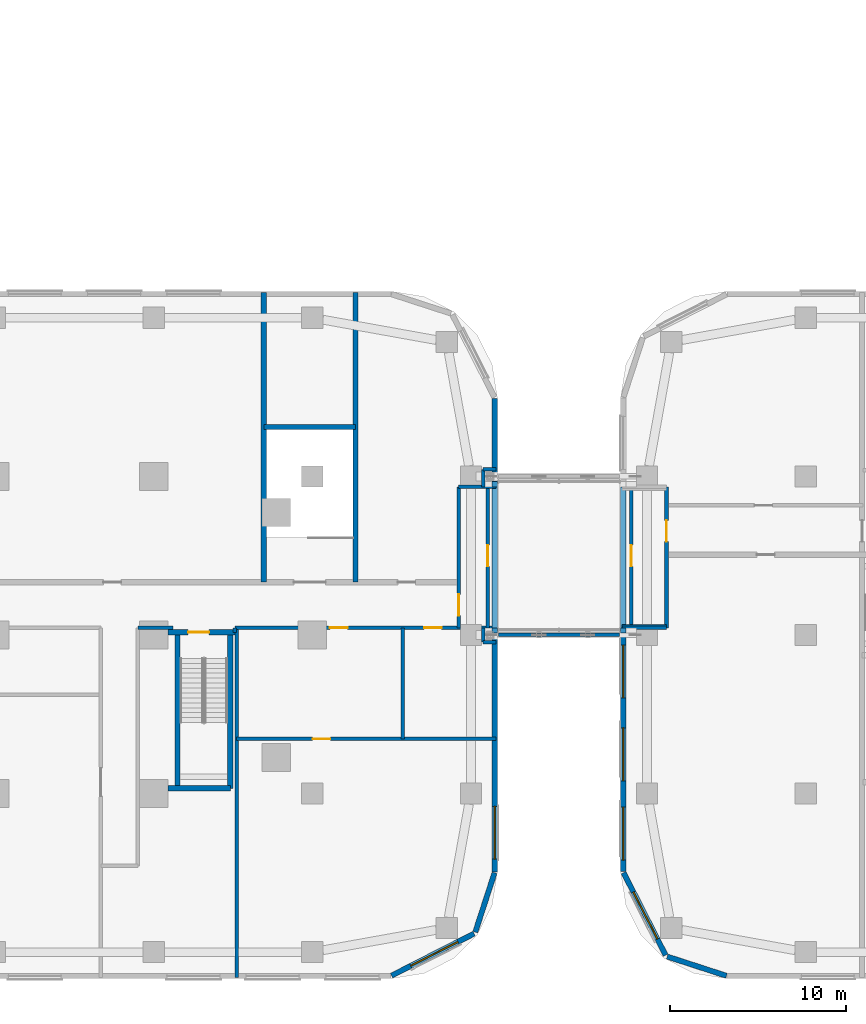
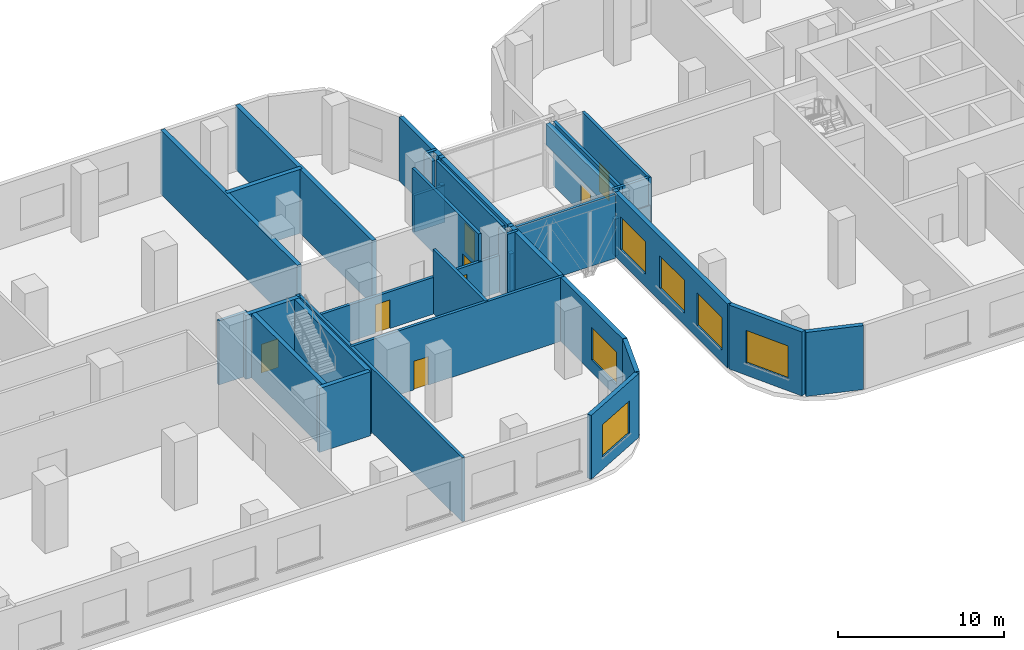
# One storey, part 11 of 33: 40 walls, 8 doors, 6 windows, 14 openings.
"""IFC4 building model written with IfcOpenShell, lengths in metres."""

from ifc_helpers import new_model, si_unit, direction, frame, frame_2d, origin, place, context, subcontext, project, spatial, rectangle, extrude, material, layer, layer_set, type_object, element, fill, save


model = new_model("IFC4")

# Units and contexts
model_context = context("Model", 3, precision=1e-05, world=origin(), true_north=direction((0.0, 1.0)))
body_context = subcontext(model_context, "Body", "Model", "MODEL_VIEW")
ifc_project = project(units=[si_unit("LENGTHUNIT", "METRE"), si_unit("AREAUNIT", "SQUARE_METRE"), si_unit("VOLUMEUNIT", "CUBIC_METRE"), si_unit("PLANEANGLEUNIT", "RADIAN"), si_unit("MASSUNIT", "GRAM", prefix="KILO")], contexts=[model_context])

# Site, building, storey
site_placement = place(None, origin())
site = spatial("IfcSite", under=ifc_project, at=site_placement, CompositionType="ELEMENT")
building_placement = place(site_placement, origin())
building = spatial("IfcBuilding", under=site, at=building_placement, Name="Ogive Portal Towers", CompositionType="ELEMENT")
storey_placement = place(building_placement, frame((0.0, 0.0, 28.5)))
storey = spatial("IfcBuildingStorey", under=building, at=storey_placement, Name="L05", CompositionType="ELEMENT", Elevation=28.5)

# Wall, opening, window
ifc_material_1 = material(Name="Limestone cladding on lightweight block wall", Category="masonry")
ifc_layer_1 = layer(ifc_material_1, 0.300048828125)
ifc_layer_set_1 = layer_set([ifc_layer_1], Name="EXTERNAL WALL 300 STONE")
wall_type_1 = type_object("IfcWallType", Name="EXTERNAL WALL 300 STONE", PredefinedType="SOLIDWALL", material=ifc_layer_set_1)
wall_1_placement = place(storey_placement, frame((98.99609375, 11.166259765625, 0.0), z_axis=(0.0, 0.0, 1.0), x_axis=(0.890998339455, 0.454006562826, 0.0)))
wall_1 = element("IfcWall", 1, at=wall_1_placement, inside=storey, type_object=wall_type_1, Name="A:L05:f03:w0", PredefinedType="SOLIDWALL", context=body_context, shape_type="SweptSolid", body=[
    extrude(rectangle(XDim=5.251708984375, YDim=0.300048828125, at=frame_2d((2.6259765625, 0.0))), origin(), (0.0, 0.0, 1.0), 4.699951171875),
])
opening_1_placement = place(wall_1_placement, frame((1.223876953125, 0.0, 0.89990234375)))
opening_1 = element("IfcOpeningElement", 2, at=opening_1_placement, cuts=wall_1, Name="Opening WN3", PredefinedType="OPENING", context=body_context, shape_type="SweptSolid", body=[
    extrude(rectangle(XDim=3.0, YDim=2.39990234375, at=frame_2d((1.5, 1.199951171875))), frame((0.0, 0.16015625, 0.0), z_axis=(0.0, -1.0, 0.0), x_axis=(1.0, 0.0, 0.0)), (0.0, 0.0, 1.0), 0.320068359375),
])
ifc_material_2 = material(Name="Glass, clear low-iron insulated glazing", Category="glass")
window_type = type_object("IfcWindowType", Name="WINDOW PODIUM 3000x2400", PartitioningType="SINGLE_PANEL", PredefinedType="WINDOW", material=ifc_material_2)
window_1_placement = place(opening_1_placement, origin())
window_1 = element("IfcWindow", 3, at=window_1_placement, inside=storey, type_object=window_type, Name="A:L05:f03:w0:o0", OverallHeight=2.39990234375, OverallWidth=3.0, PartitioningType="SINGLE_PANEL", PredefinedType="WINDOW", context=body_context, shape_type="SweptSolid", body=[
    extrude(rectangle(XDim=3.0, YDim=2.39990234375, at=frame_2d((1.5, 1.199951171875))), frame((0.0, 0.030029296875, 0.0), z_axis=(0.0, -1.0, 0.0), x_axis=(1.0, 0.0, 0.0)), (0.0, 0.0, 1.0), 0.06005859375),
])
fill(opening_1, window_1)

# Walls
wall_2_placement = place(storey_placement, frame((103.749755859375, 13.637939453125, 0.0), z_axis=(0.0, 0.0, 1.0), x_axis=(0.309073584194, 0.951038127287, 0.0)))
element("IfcWall", 4, at=wall_2_placement, inside=storey, type_object=wall_type_1, Name="A:L05:f04:w0", PredefinedType="SOLIDWALL", context=body_context, shape_type="SweptSolid", body=[
    extrude(rectangle(XDim=3.536376953125, YDim=0.300048828125, at=frame_2d((1.76806640625, 0.0))), origin(), (0.0, 0.0, 1.0), 4.699951171875),
])
wall_3_placement = place(storey_placement, frame((104.85009765625, 30.89990234375, 3.14990234375), z_axis=(0.0, 0.0, 1.0), x_axis=(0.0, 1.0, 0.0)))
element("IfcWall", 5, at=wall_3_placement, inside=storey, type_object=wall_type_1, Name="A:L05:f05:lt", PredefinedType="SOLIDWALL", context=body_context, shape_type="SweptSolid", body=[
    extrude(rectangle(XDim=8.0, YDim=0.300048828125, at=frame_2d((4.0, 0.0))), origin(), (0.0, 0.0, 1.0), 1.550048828125),
])

# Wall, opening, window
wall_4_placement = place(storey_placement, frame((104.85009765625, 17.047607421875, 0.0), z_axis=(0.0, 0.0, 1.0), x_axis=(0.0, 1.0, 0.0)))
wall_4 = element("IfcWall", 6, at=wall_4_placement, inside=storey, type_object=wall_type_1, Name="A:L05:f05:w0", PredefinedType="SOLIDWALL", context=body_context, shape_type="SweptSolid", body=[
    extrude(rectangle(XDim=13.552490234375, YDim=0.300048828125, at=frame_2d((6.7763671875, 0.0))), origin(), (0.0, 0.0, 1.0), 4.699951171875),
])
opening_2_placement = place(wall_4_placement, frame((0.726318359375, 0.0, 0.89990234375)))
opening_2 = element("IfcOpeningElement", 7, at=opening_2_placement, cuts=wall_4, Name="Opening WN3", PredefinedType="OPENING", context=body_context, shape_type="SweptSolid", body=[
    extrude(rectangle(XDim=3.0, YDim=2.39990234375, at=frame_2d((1.5, 1.199951171875))), frame((0.0, 0.16015625, 0.0), z_axis=(0.0, -1.0, 0.0), x_axis=(1.0, 0.0, 0.0)), (0.0, 0.0, 1.0), 0.320068359375),
])
window_2_placement = place(opening_2_placement, origin())
window_2 = element("IfcWindow", 8, at=window_2_placement, inside=storey, type_object=window_type, Name="A:L05:f05:w0:o0", OverallHeight=2.39990234375, OverallWidth=3.0, PartitioningType="SINGLE_PANEL", PredefinedType="WINDOW", context=body_context, shape_type="SweptSolid", body=[
    extrude(rectangle(XDim=3.0, YDim=2.39990234375, at=frame_2d((1.5, 1.199951171875))), frame((0.0, 0.030029296875, 0.0), z_axis=(0.0, -1.0, 0.0), x_axis=(1.0, 0.0, 0.0)), (0.0, 0.0, 1.0), 0.06005859375),
])
fill(opening_2, window_2)

# Wall
wall_5_placement = place(storey_placement, frame((104.85009765625, 39.199951171875, 0.0), z_axis=(0.0, 0.0, 1.0), x_axis=(0.0, 1.0, 0.0)))
element("IfcWall", 9, at=wall_5_placement, inside=storey, type_object=wall_type_1, Name="A:L05:f05:w1", PredefinedType="SOLIDWALL", context=body_context, shape_type="SweptSolid", body=[
    extrude(rectangle(XDim=4.72802734375, YDim=0.300048828125, at=frame_2d((2.364013671875, 0.0))), origin(), (0.0, 0.0, 1.0), 4.699951171875),
])

# Wall, opening, window
wall_6_placement = place(storey_placement, frame((112.166259765625, 17.00390625, 0.0), z_axis=(0.0, 0.0, 1.0), x_axis=(0.454006562826, -0.890998339455, 0.0)))
wall_6 = element("IfcWall", 10, at=wall_6_placement, inside=storey, type_object=wall_type_1, Name="B:L05:f00:w0", PredefinedType="SOLIDWALL", context=body_context, shape_type="SweptSolid", body=[
    extrude(rectangle(XDim=5.251708984375, YDim=0.300048828125, at=frame_2d((2.6259765625, 0.0))), origin(), (0.0, 0.0, 1.0), 4.699951171875),
])
opening_3_placement = place(wall_6_placement, frame((1.223876953125, 0.0, 0.89990234375)))
opening_3 = element("IfcOpeningElement", 11, at=opening_3_placement, cuts=wall_6, Name="Opening WN3", PredefinedType="OPENING", context=body_context, shape_type="SweptSolid", body=[
    extrude(rectangle(XDim=3.0, YDim=2.39990234375, at=frame_2d((1.5, 1.199951171875))), frame((0.0, 0.16015625, 0.0), z_axis=(0.0, -1.0, 0.0), x_axis=(1.0, 0.0, 0.0)), (0.0, 0.0, 1.0), 0.320068359375),
])
window_3_placement = place(opening_3_placement, origin())
window_3 = element("IfcWindow", 12, at=window_3_placement, inside=storey, type_object=window_type, Name="B:L05:f00:w0:o0", OverallHeight=2.39990234375, OverallWidth=3.0, PartitioningType="SINGLE_PANEL", PredefinedType="WINDOW", context=body_context, shape_type="SweptSolid", body=[
    extrude(rectangle(XDim=3.0, YDim=2.39990234375, at=frame_2d((1.5, 1.199951171875))), frame((0.0, 0.030029296875, 0.0), z_axis=(0.0, -1.0, 0.0), x_axis=(1.0, 0.0, 0.0)), (0.0, 0.0, 1.0), 0.06005859375),
])
fill(opening_3, window_3)

# Walls
wall_7_placement = place(storey_placement, frame((114.637939453125, 12.250244140625, 0.0), z_axis=(0.0, 0.0, 1.0), x_axis=(0.951038127287, -0.309073584194, 0.0)))
element("IfcWall", 13, at=wall_7_placement, inside=storey, type_object=wall_type_1, Name="B:L05:f01:w0", PredefinedType="SOLIDWALL", context=body_context, shape_type="SweptSolid", body=[
    extrude(rectangle(XDim=3.536376953125, YDim=0.300048828125, at=frame_2d((1.76806640625, 0.0))), origin(), (0.0, 0.0, 1.0), 4.699951171875),
])
wall_8_placement = place(storey_placement, frame((112.14990234375, 38.89990234375, 3.14990234375), z_axis=(0.0, 0.0, 1.0), x_axis=(0.0, -1.0, 0.0)))
element("IfcWall", 14, at=wall_8_placement, inside=storey, type_object=wall_type_1, Name="B:L05:f11:lt", PredefinedType="SOLIDWALL", context=body_context, shape_type="SweptSolid", body=[
    extrude(rectangle(XDim=8.0, YDim=0.300048828125, at=frame_2d((4.0, 0.0))), origin(), (0.0, 0.0, 1.0), 1.550048828125),
])

# Wall, openings, windows
wall_9_placement = place(storey_placement, frame((112.14990234375, 30.60009765625, 0.0), z_axis=(0.0, 0.0, 1.0), x_axis=(0.0, -1.0, 0.0)))
wall_9 = element("IfcWall", 15, at=wall_9_placement, inside=storey, type_object=wall_type_1, Name="B:L05:f11:w1", PredefinedType="SOLIDWALL", context=body_context, shape_type="SweptSolid", body=[
    extrude(rectangle(XDim=13.528076171875, YDim=0.300048828125, at=frame_2d((6.76416015625, 0.0))), origin(), (0.0, 0.0, 1.0), 4.699951171875),
])
opening_4_placement = place(wall_9_placement, frame((0.67626953125, 0.0, 0.89990234375)))
opening_4 = element("IfcOpeningElement", 16, at=opening_4_placement, cuts=wall_9, Name="Opening WN3", PredefinedType="OPENING", context=body_context, shape_type="SweptSolid", body=[
    extrude(rectangle(XDim=3.0, YDim=2.39990234375, at=frame_2d((1.5, 1.199951171875))), frame((0.0, 0.16015625, 0.0), z_axis=(0.0, -1.0, 0.0), x_axis=(1.0, 0.0, 0.0)), (0.0, 0.0, 1.0), 0.320068359375),
])
opening_5_placement = place(wall_9_placement, frame((5.376220703125, 0.0, 0.89990234375)))
opening_5 = element("IfcOpeningElement", 17, at=opening_5_placement, cuts=wall_9, Name="Opening WN3", PredefinedType="OPENING", context=body_context, shape_type="SweptSolid", body=[
    extrude(rectangle(XDim=3.0, YDim=2.39990234375, at=frame_2d((1.5, 1.199951171875))), frame((0.0, 0.16015625, 0.0), z_axis=(0.0, -1.0, 0.0), x_axis=(1.0, 0.0, 0.0)), (0.0, 0.0, 1.0), 0.320068359375),
])
opening_6_placement = place(wall_9_placement, frame((9.876220703125, 0.0, 0.89990234375)))
opening_6 = element("IfcOpeningElement", 18, at=opening_6_placement, cuts=wall_9, Name="Opening WN3", PredefinedType="OPENING", context=body_context, shape_type="SweptSolid", body=[
    extrude(rectangle(XDim=3.0, YDim=2.39990234375, at=frame_2d((1.5, 1.199951171875))), frame((0.0, 0.16015625, 0.0), z_axis=(0.0, -1.0, 0.0), x_axis=(1.0, 0.0, 0.0)), (0.0, 0.0, 1.0), 0.320068359375),
])
window_4_placement = place(opening_4_placement, origin())
window_4 = element("IfcWindow", 19, at=window_4_placement, inside=storey, type_object=window_type, Name="B:L05:f11:w1:o0", OverallHeight=2.39990234375, OverallWidth=3.0, PartitioningType="SINGLE_PANEL", PredefinedType="WINDOW", context=body_context, shape_type="SweptSolid", body=[
    extrude(rectangle(XDim=3.0, YDim=2.39990234375, at=frame_2d((1.5, 1.199951171875))), frame((0.0, 0.030029296875, 0.0), z_axis=(0.0, -1.0, 0.0), x_axis=(1.0, 0.0, 0.0)), (0.0, 0.0, 1.0), 0.06005859375),
])
fill(opening_4, window_4)
window_5_placement = place(opening_5_placement, origin())
window_5 = element("IfcWindow", 20, at=window_5_placement, inside=storey, type_object=window_type, Name="B:L05:f11:w1:o1a", OverallHeight=2.39990234375, OverallWidth=3.0, PartitioningType="SINGLE_PANEL", PredefinedType="WINDOW", context=body_context, shape_type="SweptSolid", body=[
    extrude(rectangle(XDim=3.0, YDim=2.39990234375, at=frame_2d((1.5, 1.199951171875))), frame((0.0, 0.030029296875, 0.0), z_axis=(0.0, -1.0, 0.0), x_axis=(1.0, 0.0, 0.0)), (0.0, 0.0, 1.0), 0.06005859375),
])
fill(opening_5, window_5)
window_6_placement = place(opening_6_placement, origin())
window_6 = element("IfcWindow", 21, at=window_6_placement, inside=storey, type_object=window_type, Name="B:L05:f11:w1:o1b", OverallHeight=2.39990234375, OverallWidth=3.0, PartitioningType="SINGLE_PANEL", PredefinedType="WINDOW", context=body_context, shape_type="SweptSolid", body=[
    extrude(rectangle(XDim=3.0, YDim=2.39990234375, at=frame_2d((1.5, 1.199951171875))), frame((0.0, 0.030029296875, 0.0), z_axis=(0.0, -1.0, 0.0), x_axis=(1.0, 0.0, 0.0)), (0.0, 0.0, 1.0), 0.06005859375),
])
fill(opening_6, window_6)

# Walls
wall_10_placement = place(storey_placement, frame((104.85009765625, 30.60009765625, 0.0), z_axis=(0.0, 0.0, 1.0), x_axis=(0.0, 1.0, 0.0)))
element("IfcWall", 22, at=wall_10_placement, inside=storey, type_object=wall_type_1, Name="Pier return", PredefinedType="SOLIDWALL", context=body_context, shape_type="SweptSolid", body=[
    extrude(rectangle(XDim=0.2998046875, YDim=0.300048828125, at=frame_2d((0.14990234375, 0.0))), origin(), (0.0, 0.0, 1.0), 2.699951171875),
])
wall_11_placement = place(storey_placement, frame((104.85009765625, 30.60009765625, 3.14990234375), z_axis=(0.0, 0.0, 1.0), x_axis=(0.0, 1.0, 0.0)))
element("IfcWall", 23, at=wall_11_placement, inside=storey, type_object=wall_type_1, Name="Pier return", PredefinedType="SOLIDWALL", context=body_context, shape_type="SweptSolid", body=[
    extrude(rectangle(XDim=0.2998046875, YDim=0.300048828125, at=frame_2d((0.14990234375, 0.0))), origin(), (0.0, 0.0, 1.0), 1.550048828125),
])
wall_12_placement = place(storey_placement, frame((104.85009765625, 39.199951171875, 0.0), z_axis=(0.0, 0.0, 1.0), x_axis=(0.0, -1.0, 0.0)))
element("IfcWall", 24, at=wall_12_placement, inside=storey, type_object=wall_type_1, Name="Pier return", PredefinedType="SOLIDWALL", context=body_context, shape_type="SweptSolid", body=[
    extrude(rectangle(XDim=0.300048828125, YDim=0.300048828125, at=frame_2d((0.14990234375, 0.0))), origin(), (0.0, 0.0, 1.0), 2.699951171875),
])
wall_13_placement = place(storey_placement, frame((104.85009765625, 39.199951171875, 3.14990234375), z_axis=(0.0, 0.0, 1.0), x_axis=(0.0, -1.0, 0.0)))
element("IfcWall", 25, at=wall_13_placement, inside=storey, type_object=wall_type_1, Name="Pier return", PredefinedType="SOLIDWALL", context=body_context, shape_type="SweptSolid", body=[
    extrude(rectangle(XDim=0.300048828125, YDim=0.300048828125, at=frame_2d((0.14990234375, 0.0))), origin(), (0.0, 0.0, 1.0), 1.550048828125),
])
wall_14_placement = place(storey_placement, frame((112.14990234375, 30.60009765625, 0.0), z_axis=(0.0, 0.0, 1.0), x_axis=(0.0, 1.0, 0.0)))
element("IfcWall", 26, at=wall_14_placement, inside=storey, type_object=wall_type_1, Name="Pier return", PredefinedType="SOLIDWALL", context=body_context, shape_type="SweptSolid", body=[
    extrude(rectangle(XDim=0.2998046875, YDim=0.300048828125, at=frame_2d((0.14990234375, 0.0))), origin(), (0.0, 0.0, 1.0), 2.699951171875),
])
wall_15_placement = place(storey_placement, frame((112.14990234375, 30.60009765625, 3.14990234375), z_axis=(0.0, 0.0, 1.0), x_axis=(0.0, 1.0, 0.0)))
element("IfcWall", 27, at=wall_15_placement, inside=storey, type_object=wall_type_1, Name="Pier return", PredefinedType="SOLIDWALL", context=body_context, shape_type="SweptSolid", body=[
    extrude(rectangle(XDim=0.2998046875, YDim=0.300048828125, at=frame_2d((0.14990234375, 0.0))), origin(), (0.0, 0.0, 1.0), 1.550048828125),
])
ifc_material_3 = material(Name="Concrete C50/60", Category="concrete")
ifc_layer_2 = layer(ifc_material_3, 0.300048828125)
ifc_layer_set_2 = layer_set([ifc_layer_2], Name="STAIR WALL 300 C50")
wall_type_2 = type_object("IfcWallType", Name="STAIR WALL 300 C50", PredefinedType="SHEAR", material=ifc_layer_set_2)
wall_16_placement = place(storey_placement, frame((86.300048828125, 21.800048828125, 0.0), z_axis=(0.0, 0.0, 1.0), x_axis=(1.0, 0.0, 0.0)))
element("IfcWall", 28, at=wall_16_placement, inside=storey, type_object=wall_type_2, Name="Stair wall ST-A4 L05", PredefinedType="SHEAR", context=body_context, shape_type="SweptSolid", body=[
    extrude(rectangle(XDim=3.550048828125, YDim=0.300048828125, at=frame_2d((1.77490234375, 0.0))), origin(), (0.0, 0.0, 1.0), 4.699951171875),
])

# Wall, opening, door
wall_17_placement = place(storey_placement, frame((86.300048828125, 30.64990234375, 0.0), z_axis=(0.0, 0.0, 1.0), x_axis=(1.0, 0.0, 0.0)))
wall_17 = element("IfcWall", 29, at=wall_17_placement, inside=storey, type_object=wall_type_2, Name="Stair wall ST-A4 L05", PredefinedType="SHEAR", context=body_context, shape_type="SweptSolid", body=[
    extrude(rectangle(XDim=3.800048828125, YDim=0.300048828125, at=frame_2d((1.89990234375, 0.0))), origin(), (0.0, 0.0, 1.0), 4.699951171875),
])
opening_7_placement = place(wall_17_placement, frame((1.14990234375, 0.0, 0.0)))
opening_7 = element("IfcOpeningElement", 30, at=opening_7_placement, cuts=wall_17, Name="Opening P05-002", PredefinedType="OPENING", context=body_context, shape_type="SweptSolid", body=[
    extrude(rectangle(XDim=1.199951171875, YDim=2.10009765625, at=frame_2d((0.60009765625, 1.050048828125))), frame((0.0, 0.16015625, 0.0), z_axis=(0.0, -1.0, 0.0), x_axis=(1.0, 0.0, 0.0)), (0.0, 0.0, 1.0), 0.320068359375),
])
ifc_material_4 = material(Name="Steel fire door", Category="steel")
door_type_1 = type_object("IfcDoorType", Name="DT-SWING-1200x2100-FD90S", OperationType="SINGLE_SWING_LEFT", PredefinedType="DOOR", material=ifc_material_4)
door_1_placement = place(opening_7_placement, origin())
door_1 = element("IfcDoor", 31, at=door_1_placement, inside=storey, type_object=door_type_1, Name="Door P05-002", OperationType="SINGLE_SWING_RIGHT", OverallHeight=2.10009765625, OverallWidth=1.199951171875, PredefinedType="DOOR", context=body_context, shape_type="SweptSolid", body=[
    extrude(rectangle(XDim=1.199951171875, YDim=2.10009765625, at=frame_2d((0.60009765625, 1.050048828125))), frame((0.0, 0.02490234375, 0.0), z_axis=(0.0, -1.0, 0.0), x_axis=(1.0, 0.0, 0.0)), (0.0, 0.0, 1.0), 0.050048828125),
])
fill(opening_7, door_1)

# Walls
for number, where, z_axis, x_axis, name in (
    (32, (86.85009765625, 21.800048828125, 0.0), (0.0, 0.0, 1.0), (0.0, 1.0, 0.0), "Stair wall ST-A4 L05"),
    (33, (89.85009765625, 21.800048828125, 0.0), (0.0, 0.0, 1.0), (0.0, 1.0, 0.0), "Stair wall ST-A4 L05"),
):
    element("IfcWall", number, at=place(storey_placement, frame(where, z_axis=z_axis, x_axis=x_axis)), inside=storey, type_object=wall_type_2, Name=name, PredefinedType="SHEAR", context=body_context, shape_type="SweptSolid", body=[
        extrude(rectangle(XDim=8.849853515625, YDim=0.300048828125, at=frame_2d((4.4248046875, 0.0))), origin(), (0.0, 0.0, 1.0), 4.699951171875),
    ])

# Wall, opening, door
ifc_material_5 = material(Name="Gypsum board partition on steel studs", Category="steel")
ifc_layer_3 = layer(ifc_material_5, 0.199951171875)
ifc_layer_set_3 = layer_set([ifc_layer_3], Name="WT-PART-200-EI 60")
wall_type_3 = type_object("IfcWallType", Name="WT-PART-200-EI 60", PredefinedType="PARTITIONING", material=ifc_layer_set_3)
wall_18_placement = place(storey_placement, frame((90.199951171875, 24.60009765625, 0.0), z_axis=(0.0, 0.0, 1.0), x_axis=(1.0, 0.0, 0.0)))
wall_18 = element("IfcWall", 34, at=wall_18_placement, inside=storey, type_object=wall_type_3, Name="Wall L05:w009", PredefinedType="PARTITIONING", context=body_context, shape_type="SweptSolid", body=[
    extrude(rectangle(XDim=14.72998046875, YDim=0.199951171875, at=frame_2d((7.364990234375, 0.0))), origin(), (0.0, 0.0, 1.0), 4.699951171875),
])
opening_8_placement = place(wall_18_placement, frame((4.322021484375, 0.0, 0.0)))
opening_8 = element("IfcOpeningElement", 35, at=opening_8_placement, cuts=wall_18, Name="Opening P05-014", PredefinedType="OPENING", context=body_context, shape_type="SweptSolid", body=[
    extrude(rectangle(XDim=1.0, YDim=2.10009765625, at=frame_2d((0.5, 1.050048828125))), frame((0.0, 0.10986328125, 0.0), z_axis=(0.0, -1.0, 0.0), x_axis=(1.0, 0.0, 0.0)), (0.0, 0.0, 1.0), 0.219970703125),
])
door_type_2 = type_object("IfcDoorType", Name="DT-SWING-1000x2100-FD60S", OperationType="SINGLE_SWING_LEFT", PredefinedType="DOOR", material=ifc_material_4)
door_2_placement = place(opening_8_placement, origin())
door_2 = element("IfcDoor", 36, at=door_2_placement, inside=storey, type_object=door_type_2, Name="Door P05-014", OperationType="SINGLE_SWING_RIGHT", OverallHeight=2.10009765625, OverallWidth=1.0, PredefinedType="DOOR", context=body_context, shape_type="SweptSolid", body=[
    extrude(rectangle(XDim=1.0, YDim=2.10009765625, at=frame_2d((0.5, 1.050048828125))), frame((0.0, 0.02490234375, 0.0), z_axis=(0.0, -1.0, 0.0), x_axis=(1.0, 0.0, 0.0)), (0.0, 0.0, 1.0), 0.050048828125),
])
fill(opening_8, door_2)

# Walls
wall_19_placement = place(storey_placement, frame((104.199951171875, 30.10009765625, 0.0), z_axis=(0.0, 0.0, 1.0), x_axis=(1.0, 0.0, 0.0)))
element("IfcWall", 37, at=wall_19_placement, inside=storey, type_object=wall_type_3, Name="Wall L05:w012", PredefinedType="PARTITIONING", context=body_context, shape_type="SweptSolid", body=[
    extrude(rectangle(XDim=0.72998046875, YDim=0.199951171875, at=frame_2d((0.364990234375, 0.0))), origin(), (0.0, 0.0, 1.0), 4.699951171875),
])
wall_20_placement = place(storey_placement, frame((105.070068359375, 30.5, 0.0), z_axis=(0.0, 0.0, 1.0), x_axis=(1.0, 0.0, 0.0)))
element("IfcWall", 38, at=wall_20_placement, inside=storey, type_object=wall_type_3, Name="Wall L05:w013", PredefinedType="PARTITIONING", context=body_context, shape_type="SweptSolid", body=[
    extrude(rectangle(XDim=6.85986328125, YDim=0.199951171875, at=frame_2d((3.429931640625, 0.0))), origin(), (0.0, 0.0, 1.0), 4.699951171875),
])
wall_21_placement = place(storey_placement, frame((84.60009765625, 30.89990234375, 0.0), z_axis=(0.0, 0.0, 1.0), x_axis=(1.0, 0.0, 0.0)))
element("IfcWall", 39, at=wall_21_placement, inside=storey, type_object=wall_type_3, Name="Wall L05:w016", PredefinedType="PARTITIONING", context=body_context, shape_type="SweptSolid", body=[
    extrude(rectangle(XDim=2.0, YDim=0.199951171875, at=frame_2d((1.0, 0.0))), origin(), (0.0, 0.0, 1.0), 4.699951171875),
])

# Wall, openings, doors
wall_22_placement = place(storey_placement, frame((90.10009765625, 30.89990234375, 0.0), z_axis=(0.0, 0.0, 1.0), x_axis=(1.0, 0.0, 0.0)))
wall_22 = element("IfcWall", 40, at=wall_22_placement, inside=storey, type_object=wall_type_3, Name="Wall L05:w017", PredefinedType="PARTITIONING", context=body_context, shape_type="SweptSolid", body=[
    extrude(rectangle(XDim=14.829833984375, YDim=0.199951171875, at=frame_2d((7.4150390625, 0.0))), origin(), (0.0, 0.0, 1.0), 2.699951171875),
])
opening_9_placement = place(wall_22_placement, frame((5.39990234375, 0.0, 0.0)))
opening_9 = element("IfcOpeningElement", 41, at=opening_9_placement, cuts=wall_22, Name="Opening P05-012", PredefinedType="OPENING", context=body_context, shape_type="SweptSolid", body=[
    extrude(rectangle(XDim=1.0, YDim=2.10009765625, at=frame_2d((0.5, 1.050048828125))), frame((0.0, 0.10986328125, 0.0), z_axis=(0.0, -1.0, 0.0), x_axis=(1.0, 0.0, 0.0)), (0.0, 0.0, 1.0), 0.219970703125),
])
opening_10_placement = place(wall_22_placement, frame((10.741943359375, 0.0, 0.0)))
opening_10 = element("IfcOpeningElement", 42, at=opening_10_placement, cuts=wall_22, Name="Opening P05-013", PredefinedType="OPENING", context=body_context, shape_type="SweptSolid", body=[
    extrude(rectangle(XDim=1.0, YDim=2.10009765625, at=frame_2d((0.5, 1.050048828125))), frame((0.0, 0.10986328125, 0.0), z_axis=(0.0, -1.0, 0.0), x_axis=(1.0, 0.0, 0.0)), (0.0, 0.0, 1.0), 0.219970703125),
])
door_3_placement = place(opening_9_placement, origin())
door_3 = element("IfcDoor", 43, at=door_3_placement, inside=storey, type_object=door_type_2, Name="Door P05-012", OperationType="SINGLE_SWING_RIGHT", OverallHeight=2.10009765625, OverallWidth=1.0, PredefinedType="DOOR", context=body_context, shape_type="SweptSolid", body=[
    extrude(rectangle(XDim=1.0, YDim=2.10009765625, at=frame_2d((0.5, 1.050048828125))), frame((0.0, 0.02490234375, 0.0), z_axis=(0.0, -1.0, 0.0), x_axis=(1.0, 0.0, 0.0)), (0.0, 0.0, 1.0), 0.050048828125),
])
fill(opening_9, door_3)
door_4_placement = place(opening_10_placement, origin())
door_4 = element("IfcDoor", 44, at=door_4_placement, inside=storey, type_object=door_type_2, Name="Door P05-013", OperationType="SINGLE_SWING_LEFT", OverallHeight=2.10009765625, OverallWidth=1.0, PredefinedType="DOOR", context=body_context, shape_type="SweptSolid", body=[
    extrude(rectangle(XDim=1.0, YDim=2.10009765625, at=frame_2d((0.5, 1.050048828125))), frame((0.0, 0.02490234375, 0.0), z_axis=(0.0, -1.0, 0.0), x_axis=(1.0, 0.0, 0.0)), (0.0, 0.0, 1.0), 0.050048828125),
])
fill(opening_10, door_4)

# Walls
wall_23_placement = place(storey_placement, frame((112.10009765625, 30.89990234375, 0.0), z_axis=(0.0, 0.0, 1.0), x_axis=(1.0, 0.0, 0.0)))
element("IfcWall", 45, at=wall_23_placement, inside=storey, type_object=wall_type_3, Name="Wall L05:w018", PredefinedType="PARTITIONING", context=body_context, shape_type="SweptSolid", body=[
    extrude(rectangle(XDim=2.5, YDim=0.199951171875, at=frame_2d((1.25, 0.0))), origin(), (0.0, 0.0, 1.0), 2.699951171875),
])
wall_24_placement = place(storey_placement, frame((112.070068359375, 31.0, 0.0), z_axis=(0.0, 0.0, 1.0), x_axis=(1.0, 0.0, 0.0)))
element("IfcWall", 46, at=wall_24_placement, inside=storey, type_object=wall_type_3, Name="Wall L05:w019", PredefinedType="PARTITIONING", context=body_context, shape_type="SweptSolid", body=[
    extrude(rectangle(XDim=2.530029296875, YDim=0.199951171875, at=frame_2d((1.26513671875, 0.0))), origin(), (0.0, 0.0, 1.0), 4.699951171875),
])
wall_25_placement = place(storey_placement, frame((102.800048828125, 38.89990234375, 0.0), z_axis=(0.0, 0.0, 1.0), x_axis=(1.0, 0.0, 0.0)))
element("IfcWall", 47, at=wall_25_placement, inside=storey, type_object=wall_type_3, Name="Wall L05:w026", PredefinedType="PARTITIONING", context=body_context, shape_type="SweptSolid", body=[
    extrude(rectangle(XDim=2.1298828125, YDim=0.199951171875, at=frame_2d((1.06494140625, 0.0))), origin(), (0.0, 0.0, 1.0), 2.699951171875),
])
wall_26_placement = place(storey_placement, frame((104.199951171875, 39.89990234375, 0.0), z_axis=(0.0, 0.0, 1.0), x_axis=(1.0, 0.0, 0.0)))
element("IfcWall", 48, at=wall_26_placement, inside=storey, type_object=wall_type_3, Name="Wall L05:w034", PredefinedType="PARTITIONING", context=body_context, shape_type="SweptSolid", body=[
    extrude(rectangle(XDim=0.72998046875, YDim=0.199951171875, at=frame_2d((0.364990234375, 0.0))), origin(), (0.0, 0.0, 1.0), 4.699951171875),
])

# Wall, opening, door
wall_27_placement = place(storey_placement, frame((102.800048828125, 30.89990234375, 0.0), z_axis=(0.0, 0.0, 1.0), x_axis=(0.0, 1.0, 0.0)))
wall_27 = element("IfcWall", 49, at=wall_27_placement, inside=storey, type_object=wall_type_3, Name="Wall L05:w054", PredefinedType="PARTITIONING", context=body_context, shape_type="SweptSolid", body=[
    extrude(rectangle(XDim=8.0, YDim=0.199951171875, at=frame_2d((4.0, 0.0))), origin(), (0.0, 0.0, 1.0), 4.699951171875),
])
opening_11_placement = place(wall_27_placement, frame((0.699951171875, 0.0, 0.0)))
opening_11 = element("IfcOpeningElement", 50, at=opening_11_placement, cuts=wall_27, Name="Opening P05-009", PredefinedType="OPENING", context=body_context, shape_type="SweptSolid", body=[
    extrude(rectangle(XDim=1.199951171875, YDim=2.10009765625, at=frame_2d((0.60009765625, 1.050048828125))), frame((0.0, 0.10986328125, 0.0), z_axis=(0.0, -1.0, 0.0), x_axis=(1.0, 0.0, 0.0)), (0.0, 0.0, 1.0), 0.219970703125),
])
door_type_3 = type_object("IfcDoorType", Name="DT-SWING-1200x2100-FD60S", OperationType="SINGLE_SWING_LEFT", PredefinedType="DOOR", material=ifc_material_4)
door_5_placement = place(opening_11_placement, origin())
door_5 = element("IfcDoor", 51, at=door_5_placement, inside=storey, type_object=door_type_3, Name="Door P05-009", OperationType="SINGLE_SWING_LEFT", OverallHeight=2.10009765625, OverallWidth=1.199951171875, PredefinedType="DOOR", context=body_context, shape_type="SweptSolid", body=[
    extrude(rectangle(XDim=1.199951171875, YDim=2.10009765625, at=frame_2d((0.60009765625, 1.050048828125))), frame((0.0, 0.02490234375, 0.0), z_axis=(0.0, -1.0, 0.0), x_axis=(1.0, 0.0, 0.0)), (0.0, 0.0, 1.0), 0.050048828125),
])
fill(opening_11, door_5)

# Walls
wall_28_placement = place(storey_placement, frame((104.199951171875, 30.10009765625, 0.0), z_axis=(0.0, 0.0, 1.0), x_axis=(0.0, 1.0, 0.0)))
element("IfcWall", 52, at=wall_28_placement, inside=storey, type_object=wall_type_3, Name="Wall L05:w055", PredefinedType="PARTITIONING", context=body_context, shape_type="SweptSolid", body=[
    extrude(rectangle(XDim=0.7998046875, YDim=0.199951171875, at=frame_2d((0.39990234375, 0.0))), origin(), (0.0, 0.0, 1.0), 4.699951171875),
])
wall_29_placement = place(storey_placement, frame((104.199951171875, 38.89990234375, 0.0), z_axis=(0.0, 0.0, 1.0), x_axis=(0.0, 1.0, 0.0)))
element("IfcWall", 53, at=wall_29_placement, inside=storey, type_object=wall_type_3, Name="Wall L05:w056", PredefinedType="PARTITIONING", context=body_context, shape_type="SweptSolid", body=[
    extrude(rectangle(XDim=1.0, YDim=0.199951171875, at=frame_2d((0.5, 0.0))), origin(), (0.0, 0.0, 1.0), 4.699951171875),
])

# Wall, opening, door
wall_30_placement = place(storey_placement, frame((104.449951171875, 30.89990234375, 0.0), z_axis=(0.0, 0.0, 1.0), x_axis=(0.0, 1.0, 0.0)))
wall_30 = element("IfcWall", 54, at=wall_30_placement, inside=storey, type_object=wall_type_3, Name="Wall L05:w057", PredefinedType="PARTITIONING", context=body_context, shape_type="SweptSolid", body=[
    extrude(rectangle(XDim=8.0, YDim=0.199951171875, at=frame_2d((4.0, 0.0))), origin(), (0.0, 0.0, 1.0), 4.699951171875),
])
opening_12_placement = place(wall_30_placement, frame((3.5, 0.0, 0.0)))
opening_12 = element("IfcOpeningElement", 55, at=opening_12_placement, cuts=wall_30, Name="Opening P05-047", PredefinedType="OPENING", context=body_context, shape_type="SweptSolid", body=[
    extrude(rectangle(XDim=1.199951171875, YDim=2.10009765625, at=frame_2d((0.60009765625, 1.050048828125))), frame((0.0, 0.10986328125, 0.0), z_axis=(0.0, -1.0, 0.0), x_axis=(1.0, 0.0, 0.0)), (0.0, 0.0, 1.0), 0.219970703125),
])
door_6_placement = place(opening_12_placement, origin())
door_6 = element("IfcDoor", 56, at=door_6_placement, inside=storey, type_object=door_type_3, Name="Door P05-047", OperationType="SINGLE_SWING_LEFT", OverallHeight=2.10009765625, OverallWidth=1.199951171875, PredefinedType="DOOR", context=body_context, shape_type="SweptSolid", body=[
    extrude(rectangle(XDim=1.199951171875, YDim=2.10009765625, at=frame_2d((0.60009765625, 1.050048828125))), frame((0.0, 0.02490234375, 0.0), z_axis=(0.0, -1.0, 0.0), x_axis=(1.0, 0.0, 0.0)), (0.0, 0.0, 1.0), 0.050048828125),
])
fill(opening_12, door_6)

wall_31_placement = place(storey_placement, frame((112.60009765625, 30.89990234375, 0.0), z_axis=(0.0, 0.0, 1.0), x_axis=(0.0, 1.0, 0.0)))
wall_31 = element("IfcWall", 57, at=wall_31_placement, inside=storey, type_object=wall_type_3, Name="Wall L05:w058", PredefinedType="PARTITIONING", context=body_context, shape_type="SweptSolid", body=[
    extrude(rectangle(XDim=8.0, YDim=0.199951171875, at=frame_2d((4.0, 0.0))), origin(), (0.0, 0.0, 1.0), 4.699951171875),
])
opening_13_placement = place(wall_31_placement, frame((3.5, 0.0, 0.0)))
opening_13 = element("IfcOpeningElement", 58, at=opening_13_placement, cuts=wall_31, Name="Opening P05-048", PredefinedType="OPENING", context=body_context, shape_type="SweptSolid", body=[
    extrude(rectangle(XDim=1.199951171875, YDim=2.10009765625, at=frame_2d((0.60009765625, 1.050048828125))), frame((0.0, 0.10986328125, 0.0), z_axis=(0.0, -1.0, 0.0), x_axis=(1.0, 0.0, 0.0)), (0.0, 0.0, 1.0), 0.219970703125),
])
door_7_placement = place(opening_13_placement, origin())
door_7 = element("IfcDoor", 59, at=door_7_placement, inside=storey, type_object=door_type_3, Name="Door P05-048", OperationType="SINGLE_SWING_RIGHT", OverallHeight=2.10009765625, OverallWidth=1.199951171875, PredefinedType="DOOR", context=body_context, shape_type="SweptSolid", body=[
    extrude(rectangle(XDim=1.199951171875, YDim=2.10009765625, at=frame_2d((0.60009765625, 1.050048828125))), frame((0.0, 0.02490234375, 0.0), z_axis=(0.0, -1.0, 0.0), x_axis=(1.0, 0.0, 0.0)), (0.0, 0.0, 1.0), 0.050048828125),
])
fill(opening_13, door_7)

wall_32_placement = place(storey_placement, frame((114.60009765625, 30.89990234375, 0.0), z_axis=(0.0, 0.0, 1.0), x_axis=(0.0, 1.0, 0.0)))
wall_32 = element("IfcWall", 60, at=wall_32_placement, inside=storey, type_object=wall_type_3, Name="Wall L05:w059", PredefinedType="PARTITIONING", context=body_context, shape_type="SweptSolid", body=[
    extrude(rectangle(XDim=8.0, YDim=0.199951171875, at=frame_2d((4.0, 0.0))), origin(), (0.0, 0.0, 1.0), 4.699951171875),
])
opening_14_placement = place(wall_32_placement, frame((4.89990234375, 0.0, 0.0)))
opening_14 = element("IfcOpeningElement", 61, at=opening_14_placement, cuts=wall_32, Name="Opening P05-036", PredefinedType="OPENING", context=body_context, shape_type="SweptSolid", body=[
    extrude(rectangle(XDim=1.199951171875, YDim=2.10009765625, at=frame_2d((0.60009765625, 1.050048828125))), frame((0.0, 0.10986328125, 0.0), z_axis=(0.0, -1.0, 0.0), x_axis=(1.0, 0.0, 0.0)), (0.0, 0.0, 1.0), 0.219970703125),
])
door_8_placement = place(opening_14_placement, origin())
door_8 = element("IfcDoor", 62, at=door_8_placement, inside=storey, type_object=door_type_3, Name="Door P05-036", OperationType="SINGLE_SWING_RIGHT", OverallHeight=2.10009765625, OverallWidth=1.199951171875, PredefinedType="DOOR", context=body_context, shape_type="SweptSolid", body=[
    extrude(rectangle(XDim=1.199951171875, YDim=2.10009765625, at=frame_2d((0.60009765625, 1.050048828125))), frame((0.0, 0.02490234375, 0.0), z_axis=(0.0, -1.0, 0.0), x_axis=(1.0, 0.0, 0.0)), (0.0, 0.0, 1.0), 0.050048828125),
])
fill(opening_14, door_8)

# Walls
wall_33_placement = place(storey_placement, frame((90.10009765625, 30.64990234375, 0.0), z_axis=(0.0, 0.0, 1.0), x_axis=(0.0, 1.0, 0.0)))
element("IfcWall", 63, at=wall_33_placement, inside=storey, type_object=wall_type_3, Name="Wall L05:w102", PredefinedType="PARTITIONING", context=body_context, shape_type="SweptSolid", body=[
    extrude(rectangle(XDim=0.25, YDim=0.199951171875, at=frame_2d((0.125, 0.0))), origin(), (0.0, 0.0, 1.0), 4.699951171875),
])
wall_34_placement = place(storey_placement, frame((90.199951171875, 11.070068359375, 0.0), z_axis=(0.0, 0.0, 1.0), x_axis=(0.0, 1.0, 0.0)))
element("IfcWall", 64, at=wall_34_placement, inside=storey, type_object=wall_type_3, Name="Wall L05:w103", PredefinedType="PARTITIONING", context=body_context, shape_type="SweptSolid", body=[
    extrude(rectangle(XDim=19.829833984375, YDim=0.199951171875, at=frame_2d((9.9150390625, 0.0))), origin(), (0.0, 0.0, 1.0), 4.699951171875),
])
wall_35_placement = place(storey_placement, frame((99.625, 24.60009765625, 0.0), z_axis=(0.0, 0.0, 1.0), x_axis=(0.0, 1.0, 0.0)))
element("IfcWall", 65, at=wall_35_placement, inside=storey, type_object=wall_type_3, Name="Wall L05:w106", PredefinedType="PARTITIONING", context=body_context, shape_type="SweptSolid", body=[
    extrude(rectangle(XDim=6.2998046875, YDim=0.199951171875, at=frame_2d((3.14990234375, 0.0))), origin(), (0.0, 0.0, 1.0), 4.699951171875),
])
ifc_material_6 = material(Name="Concrete C40/50", Category="concrete")
ifc_layer_4 = layer(ifc_material_6, 0.300048828125)
ifc_layer_set_4 = layer_set([ifc_layer_4], Name="WT-SHAFT-300")
wall_type_4 = type_object("IfcWallType", Name="WT-SHAFT-300", PredefinedType="SOLIDWALL", material=ifc_layer_set_4)
wall_36_placement = place(storey_placement, frame((91.75, 42.300048828125, 0.0), z_axis=(0.0, 0.0, 1.0), x_axis=(1.0, 0.0, 0.0)))
element("IfcWall", 66, at=wall_36_placement, inside=storey, type_object=wall_type_4, Name="Wall L05:w038", PredefinedType="SOLIDWALL", context=body_context, shape_type="SweptSolid", body=[
    extrude(rectangle(XDim=5.199951171875, YDim=0.300048828125, at=frame_2d((2.60009765625, 0.0))), origin(), (0.0, 0.0, 1.0), 4.699951171875),
])
for number, where, z_axis, x_axis, name in (
    (67, (91.75, 33.5, 0.0), (0.0, 0.0, 1.0), (0.0, 1.0, 0.0), "Wall L05:w104"),
    (68, (96.949951171875, 33.5, 0.0), (0.0, 0.0, 1.0), (0.0, 1.0, 0.0), "Wall L05:w105"),
):
    element("IfcWall", number, at=place(storey_placement, frame(where, z_axis=z_axis, x_axis=x_axis)), inside=storey, type_object=wall_type_4, Name=name, PredefinedType="SOLIDWALL", context=body_context, shape_type="SweptSolid", body=[
        extrude(rectangle(XDim=16.429931640625, YDim=0.300048828125, at=frame_2d((8.21484375, 0.0))), origin(), (0.0, 0.0, 1.0), 4.699951171875),
    ])

save(model, "model.ifc")
